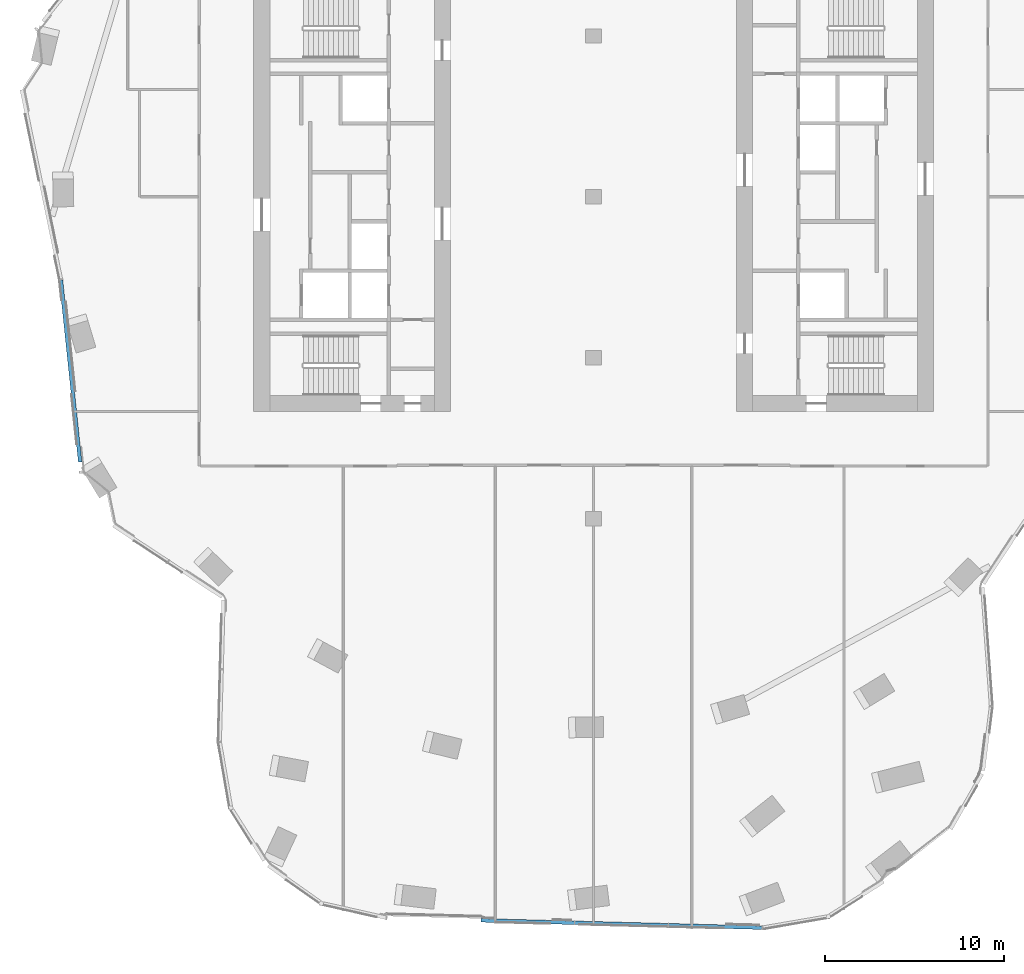
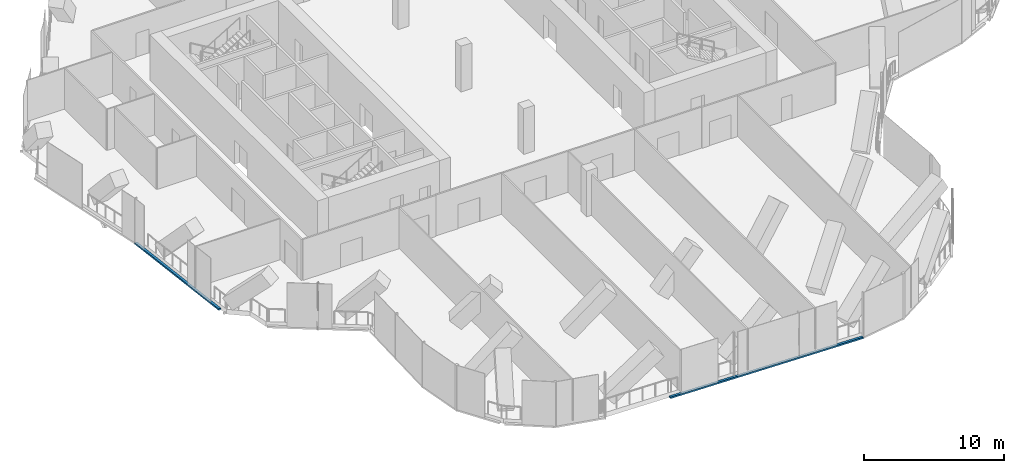
# One storey, part 3 of 26: 2 members, 2 elements without a shape of their own.
"""IFC4 building model written with IfcOpenShell, lengths in metres."""

from ifc_helpers import new_model, si_unit, direction, frame, origin, origin_2d, place, context, subcontext, project, spatial, rectangle, extrude, material, material_profile, profile_set, type_object, element, aggregate, save


model = new_model("IFC4")

# Units and contexts
model_context = context("Model", 3, precision=1e-05, world=origin(), true_north=direction((0.0, 1.0)))
body_context = subcontext(model_context, "Body", "Model", "MODEL_VIEW")
ifc_project = project(units=[si_unit("LENGTHUNIT", "METRE"), si_unit("AREAUNIT", "SQUARE_METRE"), si_unit("VOLUMEUNIT", "CUBIC_METRE"), si_unit("PLANEANGLEUNIT", "RADIAN"), si_unit("MASSUNIT", "GRAM", prefix="KILO")], contexts=[model_context])

# Site, building, storey
site_placement = place(None, origin())
site = spatial("IfcSite", under=ifc_project, at=site_placement, CompositionType="ELEMENT")
building_placement = place(site_placement, origin())
building = spatial("IfcBuilding", under=site, at=building_placement, Name="Orlundy Tower", CompositionType="ELEMENT")
storey_placement = place(building_placement, frame((0.0, 0.0, 228.0)))
storey = spatial("IfcBuildingStorey", under=building, at=storey_placement, Name="L60", CompositionType="ELEMENT", Elevation=228.0)

# Curtain wall, member
ifc_material_1 = material(Name="Aluminium bronze anodised", Category="aluminium")
curtain_wall_type = type_object("IfcCurtainWallType", Name="CW5 wall", PredefinedType="NOTDEFINED", material=ifc_material_1)
curtain_wall_1_placement = place(storey_placement, origin())
curtain_wall_1 = element("IfcCurtainWall", 1, at=curtain_wall_1_placement, inside=storey, type_object=curtain_wall_type, Name="CW5 run 03", PredefinedType="NOTDEFINED")
ifc_material_2 = material(Name="Aluminium bronze anodised", Category="aluminium")
ifc_material_profile = material_profile(ifc_material_2, rectangle(XDim=0.199951171875, YDim=0.139892578125, at=origin_2d()), Name="CW5 transom 200x140")
ifc_profile_set = profile_set([ifc_material_profile], Name="Aluminium bronze anodised")
member_type = type_object("IfcMemberType", Name="CW5 transom 200x140", PredefinedType="USERDEFINED", material=ifc_profile_set)
member_1_placement = place(storey_placement, frame((-28.70849609375, -14.819091796875, -0.35009765625), z_axis=(-0.104503369891, 0.994524532468, 0.0), x_axis=(-0.994524532468, -0.104503369891, 0.0)))
member_1 = element("IfcMember", 2, at=member_1_placement, type_object=member_type, Name="CW5 transom", ObjectType="TRANSOM", PredefinedType="USERDEFINED", context=body_context, shape_type="SweptSolid", body=[
    extrude(rectangle(XDim=0.199951171875, YDim=0.139892578125, at=origin_2d()), origin(), (0.0, 0.0, 1.0), 10.227783203125),
])
aggregate(curtain_wall_1, [member_1])

curtain_wall_2_placement = place(storey_placement, origin())
curtain_wall_2 = element("IfcCurtainWall", 3, at=curtain_wall_2_placement, inside=storey, type_object=curtain_wall_type, Name="CW5 run 040", PredefinedType="NOTDEFINED")
member_2_placement = place(storey_placement, frame((9.418212890625, -40.860595703125, -0.35009765625), z_axis=(-0.999657095413, 0.026185713487, 0.0), x_axis=(-0.026185713487, -0.999657095413, 0.0)))
member_2 = element("IfcMember", 4, at=member_2_placement, type_object=member_type, Name="CW5 transom", ObjectType="TRANSOM", PredefinedType="USERDEFINED", context=body_context, shape_type="SweptSolid", body=[
    extrude(rectangle(XDim=0.199951171875, YDim=0.139892578125, at=origin_2d()), origin(), (0.0, 0.0, 1.0), 15.7099609375),
])
aggregate(curtain_wall_2, [member_2])

save(model, "model.ifc")
